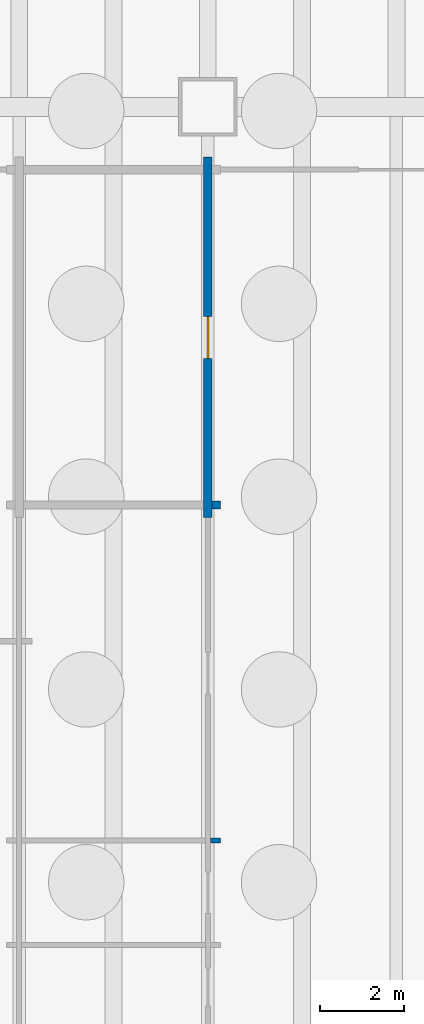
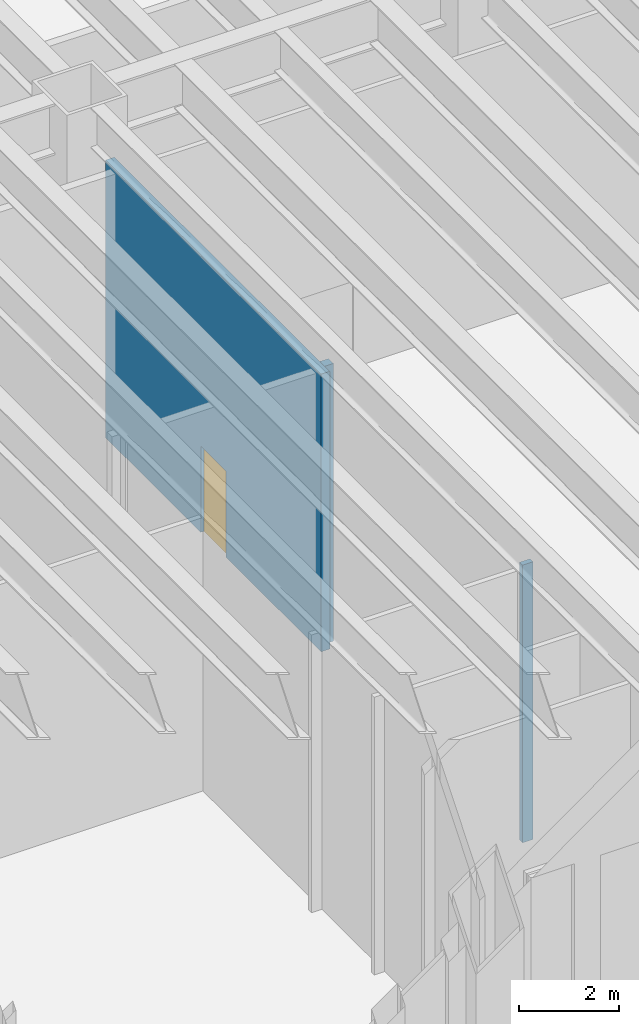
# One storey, part 9 of 26: 3 walls, 1 door, 1 opening.
"""IFC4 building model written with IfcOpenShell, lengths in metres."""

import ifcopenshell
import ifcopenshell.guid

model = None  # the IFC model being written
_history = None  # IfcOwnerHistory: only IFC2X3 demands one
_inside = {}  # id of a spatial element -> (the spatial element, [elements in it])
_under = {}  # id of a project, library or spatial element -> (it, [spatial elements below it])
_declared = {}  # id of a project -> (the project, [libraries it declares])
_typed = {}  # id of a type object -> (the type object, [elements of that type])
_made_of = {}  # id of a material, layer set ... -> (it, [elements and type objects made of it])


def new_model(schema):
    """Start an empty IFC model of exactly this schema.

    Asked for "IFC4X3", IfcOpenShell would pick the latest addendum, in which some entities
    have other attributes; the version numbers below select the first issue.
    IFC2X3 requires an IfcOwnerHistory on every rooted entity: one is made here for all.
    """
    global model, _history
    if schema == "IFC4X3":
        model = ifcopenshell.file(schema_version=(4, 3, 0, 0))
    else:
        model = ifcopenshell.file(schema=schema)
    _inside.clear()
    _under.clear()
    _declared.clear()
    _typed.clear()
    _made_of.clear()
    _history = None
    if model.schema == "IFC2X3":
        org = make("IfcOrganization", Name="unknown")
        user = make(
            "IfcPersonAndOrganization",
            ThePerson=make("IfcPerson", FamilyName="unknown"),
            TheOrganization=org,
        )
        app = make(
            "IfcApplication",
            ApplicationDeveloper=org,
            Version="unknown",
            ApplicationFullName="unknown",
            ApplicationIdentifier="unknown",
        )
        _history = make(
            "IfcOwnerHistory",
            OwningUser=user,
            OwningApplication=app,
            ChangeAction="ADDED",
            CreationDate=0,
        )
    return model


def make(cls, **values):
    """One entity of the class cls with the attributes given. An attribute that is None is left unset."""
    return model.create_entity(
        cls, **{name: value for name, value in values.items() if value is not None}
    )


def rooted(cls, **values):
    """An entity with a GlobalId (a new one), such as an element, a storey or a relation."""
    return make(cls, GlobalId=ifcopenshell.guid.new(), OwnerHistory=_history, **values)


def si_unit(unit_type, name, prefix=None):
    """IfcSIUnit, for example si_unit("LENGTHUNIT", "METRE", prefix="MILLI")."""
    return make("IfcSIUnit", UnitType=unit_type, Prefix=prefix, Name=name)


def assignment(units):
    """IfcUnitAssignment: the units of a project."""
    return None if units is None else make("IfcUnitAssignment", Units=units)


def point(xyz):
    """IfcCartesianPoint."""
    return None if xyz is None else make("IfcCartesianPoint", Coordinates=xyz)


def direction(xyz):
    """IfcDirection."""
    return None if xyz is None else make("IfcDirection", DirectionRatios=xyz)


def frame(location, z_axis=None, x_axis=None):
    """IfcAxis2Placement3D, a coordinate frame: its origin and axes. An axis left out is left unset."""
    return make(
        "IfcAxis2Placement3D",
        Location=point(location),
        Axis=direction(z_axis),
        RefDirection=direction(x_axis),
    )


def frame_2d(location, x_axis=None):
    """IfcAxis2Placement2D, a coordinate frame in the plane: its origin and x axis."""
    return make(
        "IfcAxis2Placement2D", Location=point(location), RefDirection=direction(x_axis)
    )


def origin():
    """The frame at (0, 0, 0) with its axes left unset."""
    return frame((0.0, 0.0, 0.0))


def place(relative_to, where):
    """IfcLocalPlacement: puts the frame where relative to a parent placement (None: the world)."""
    return make(
        "IfcLocalPlacement", PlacementRelTo=relative_to, RelativePlacement=where
    )


def context(
    kind, dimensions, precision=None, world=None, true_north=None, identifier=None
):
    """IfcGeometricRepresentationContext, for example the 3D "Model" context."""
    return make(
        "IfcGeometricRepresentationContext",
        ContextIdentifier=identifier,
        ContextType=kind,
        CoordinateSpaceDimension=dimensions,
        Precision=precision,
        WorldCoordinateSystem=world,
        TrueNorth=true_north,
    )


def subcontext(parent, identifier, kind, view, scale=None):
    """IfcGeometricRepresentationSubContext, for example "Body" below "Model"."""
    return make(
        "IfcGeometricRepresentationSubContext",
        ContextIdentifier=identifier,
        ContextType=kind,
        ParentContext=parent,
        TargetScale=scale,
        TargetView=view,
    )


def project(units=None, contexts=None):
    """IfcProject with its units and contexts."""
    return rooted(
        "IfcProject",
        Name="project",
        RepresentationContexts=contexts,
        UnitsInContext=assignment(units),
    )


def spatial(cls, under=None, at=None, **own):
    """A site, building, storey or space (cls), placed at a placement, below another one or the project."""
    s = rooted(cls, ObjectPlacement=at, **own)
    if under is not None:
        _under.setdefault(under.id(), (under, []))[1].append(s)
    return s


def profile(cls, at=None, kind="AREA", **sizes):
    """A parametric profile (cls). Its sizes go by their IFC names, for example OverallWidth=200.0."""
    return make(cls, ProfileType=kind, Position=at, **sizes)


def rectangle(**sizes):
    """IfcRectangleProfileDef."""
    return profile("IfcRectangleProfileDef", **sizes)


def extrude(swept, where, along, depth):
    """IfcExtrudedAreaSolid: the profile swept, set in the frame where, extruded along a direction by depth."""
    return make(
        "IfcExtrudedAreaSolid",
        SweptArea=swept,
        Position=where,
        ExtrudedDirection=direction(along),
        Depth=depth,
    )


def shape(context_of_items, identifier, shape_type, items):
    """IfcShapeRepresentation: the items that make up one representation, for example the "Body"."""
    return make(
        "IfcShapeRepresentation",
        ContextOfItems=context_of_items,
        RepresentationIdentifier=identifier,
        RepresentationType=shape_type,
        Items=items,
    )


def material(Name=None, Category=None):
    """IfcMaterial."""
    return make("IfcMaterial", Name=Name, Category=Category)


def layer(
    of_material, thickness, ventilated=None, Name=None, Category=None, Priority=None
):
    """IfcMaterialLayer: one layer of a wall or slab, of a material (None: an air gap)."""
    return make(
        "IfcMaterialLayer",
        Material=of_material,
        LayerThickness=thickness,
        IsVentilated=ventilated,
        Name=Name,
        Category=Category,
        Priority=Priority,
    )


def layer_set(layers, Name=None):
    """IfcMaterialLayerSet."""
    return make("IfcMaterialLayerSet", MaterialLayers=layers, LayerSetName=Name)


def made_of(thing, what):
    """Note that an element or type object is made of a material, layer set ...; save() writes the relation."""
    if what is not None:
        _made_of.setdefault(what.id(), (what, []))[1].append(thing)
    return thing


def type_object(cls, material=None, **own):
    """A type object (cls), such as IfcWallType, which elements share."""
    return made_of(rooted(cls, **own), material)


def element(
    cls,
    number,
    at=None,
    inside=None,
    cuts=None,
    type_object=None,
    material=None,
    context=None,
    identifier="Body",
    shape_type=None,
    held_by="IfcProductDefinitionShape",
    body=None,
    shapes=None,
    **own,
):
    """One element of the class cls, such as IfcWall. Its Tag is "e" and its number.

    at: its placement. inside: the storey or other place that contains it. cuts: it is an
    opening in that element (IfcRelVoidsElement). A single representation is given by context,
    identifier, shape_type and body (its items); several are given by shapes. held_by: the class
    of the entity that holds the representations. save() writes the other relations.
    """
    e = rooted(cls, Tag="e%d" % number, ObjectPlacement=at, **own)
    if body is not None:
        shapes = [shape(context, identifier, shape_type, body)]
    if shapes is not None:
        e.Representation = make(held_by, Representations=shapes)
    if inside is not None:
        _inside.setdefault(inside.id(), (inside, []))[1].append(e)
    if cuts is not None:
        rooted(
            "IfcRelVoidsElement", RelatingBuildingElement=cuts, RelatedOpeningElement=e
        )
    if type_object is not None:
        _typed.setdefault(type_object.id(), (type_object, []))[1].append(e)
    return made_of(e, material)


def fill(opening, filler):
    """IfcRelFillsElement: the door or window that sits in an opening."""
    return rooted(
        "IfcRelFillsElement",
        RelatingOpeningElement=opening,
        RelatedBuildingElement=filler,
    )


def aggregate(whole, parts):
    """IfcRelAggregates: a whole, such as a stair, and the parts it consists of."""
    return rooted("IfcRelAggregates", RelatingObject=whole, RelatedObjects=parts)


def save(model, path):
    """Write the relations noted so far, then the file.

    IfcRelAggregates (storeys below a building ...), IfcRelContainedInSpatialStructure (elements
    in a storey), IfcRelDefinesByType, IfcRelAssociatesMaterial and IfcRelDeclares: one each for
    every whole, place, type object, material and project.
    """
    for whole, parts in _under.values():
        aggregate(whole, parts)
    for where, things in _inside.values():
        rooted(
            "IfcRelContainedInSpatialStructure",
            RelatedElements=things,
            RelatingStructure=where,
        )
    for kind, things in _typed.values():
        rooted("IfcRelDefinesByType", RelatedObjects=things, RelatingType=kind)
    for what, things in _made_of.values():
        rooted("IfcRelAssociatesMaterial", RelatedObjects=things, RelatingMaterial=what)
    for by, libraries in _declared.values():
        rooted("IfcRelDeclares", RelatingContext=by, RelatedDefinitions=libraries)
    model.write(path)


model = new_model("IFC4")

# Units and contexts
model_context = context("Model", 3, precision=1e-05, world=origin(), true_north=direction((0.0, 1.0)))
body_context = subcontext(model_context, "Body", "Model", "MODEL_VIEW")
ifc_project = project(units=[si_unit("LENGTHUNIT", "METRE"), si_unit("AREAUNIT", "SQUARE_METRE"), si_unit("VOLUMEUNIT", "CUBIC_METRE"), si_unit("PLANEANGLEUNIT", "RADIAN"), si_unit("MASSUNIT", "GRAM", prefix="KILO")], contexts=[model_context])

# Site, building, storey
site_placement = place(None, origin())
site = spatial("IfcSite", under=ifc_project, at=site_placement, CompositionType="ELEMENT")
building_placement = place(site_placement, origin())
building = spatial("IfcBuilding", under=site, at=building_placement, Name="Sennacour Bend Tower", CompositionType="ELEMENT")
storey_placement = place(building_placement, origin())
storey = spatial("IfcBuildingStorey", under=building, at=storey_placement, Name="L00", CompositionType="ELEMENT", Elevation=0.0)

# Wall
ifc_material_1 = material(Name="Plasterboard partition on steel studs", Category="steel")
ifc_layer_1 = layer(ifc_material_1, 0.1201171875, Name="Plasterboard partition on steel studs", Category="steel")
ifc_layer_set_1 = layer_set([ifc_layer_1], Name="Plasterboard partition on steel studs")
wall_type_1 = type_object("IfcWallType", Name="Partition 120", PredefinedType="PARTITIONING", material=ifc_layer_set_1)
wall_1_placement = place(storey_placement, frame((36.06005859375, 6.5, 0.0), z_axis=(0.0, 0.0, 1.0), x_axis=(1.0, 0.0, 0.0)))
element("IfcWall", 1, at=wall_1_placement, inside=storey, type_object=wall_type_1, Name="P-L00-W055ac", PredefinedType="PARTITIONING", context=body_context, shape_type="SweptSolid", body=[
    extrude(rectangle(XDim=0.239990234375, YDim=0.1201171875, at=frame_2d((0.1201171875, 0.0))), origin(), (0.0, 0.0, 1.0), 6.7587890625),
])

# Wall, opening, door
ifc_material_2 = material(Name="Fire-rated plasterboard partition on steel studs", Category="steel")
ifc_layer_2 = layer(ifc_material_2, 0.199951171875, Name="Fire-rated plasterboard partition on steel studs", Category="steel")
ifc_layer_set_2 = layer_set([ifc_layer_2], Name="Fire-rated plasterboard partition on steel studs")
wall_type_2 = type_object("IfcWallType", Name="Rated partition 200", PredefinedType="PARTITIONING", material=ifc_layer_set_2)
wall_2_placement = place(storey_placement, frame((36.0, 14.199951171875, 0.0), z_axis=(0.0, 0.0, 1.0), x_axis=(0.0, 1.0, 0.0)))
wall_2 = element("IfcWall", 2, at=wall_2_placement, inside=storey, type_object=wall_type_2, Name="P-L00-W030a", PredefinedType="PARTITIONING", context=body_context, shape_type="SweptSolid", body=[
    extrude(rectangle(XDim=8.60009765625, YDim=0.199951171875, at=frame_2d((4.300048828125, 0.0))), origin(), (0.0, 0.0, 1.0), 6.7587890625),
])
opening_placement = place(wall_2_placement, frame((3.800048828125, 0.0, 0.0)))
opening = element("IfcOpeningElement", 3, at=opening_placement, cuts=wall_2, Name="Opening SV2", PredefinedType="OPENING", context=body_context, shape_type="SweptSolid", body=[
    extrude(rectangle(XDim=1.0, YDim=2.10009765625, at=frame_2d((0.5, 1.050048828125))), frame((0.0, 0.10986328125, 0.0), z_axis=(0.0, -1.0, 0.0), x_axis=(1.0, 0.0, 0.0)), (0.0, 0.0, 1.0), 0.219970703125),
])
ifc_material_3 = material(Name="Painted steel", Category="steel")
door_type = type_object("IfcDoorType", Name="DR-SERVICE-1000", OperationType="NOTDEFINED", PredefinedType="DOOR", material=ifc_material_3)
door_placement = place(opening_placement, origin())
door = element("IfcDoor", 4, at=door_placement, inside=storey, type_object=door_type, Name="Door", OperationType="SINGLE_SWING_LEFT", OverallHeight=2.10009765625, OverallWidth=1.0, PredefinedType="DOOR", context=body_context, shape_type="SweptSolid", body=[
    extrude(rectangle(XDim=1.0, YDim=2.10009765625, at=frame_2d((0.5, 1.050048828125))), frame((0.0, 0.02490234375, 0.0), z_axis=(0.0, -1.0, 0.0), x_axis=(1.0, 0.0, 0.0)), (0.0, 0.0, 1.0), 0.050048828125),
])
fill(opening, door)

# Wall
wall_3_placement = place(storey_placement, frame((36.10009765625, 14.5, 0.0), z_axis=(0.0, 0.0, 1.0), x_axis=(1.0, 0.0, 0.0)))
element("IfcWall", 5, at=wall_3_placement, inside=storey, type_object=wall_type_2, Name="P-L00-W061ac", PredefinedType="PARTITIONING", context=body_context, shape_type="SweptSolid", body=[
    extrude(rectangle(XDim=0.199951171875, YDim=0.199951171875, at=frame_2d((0.10009765625, 0.0))), origin(), (0.0, 0.0, 1.0), 6.7587890625),
])

save(model, "model.ifc")
